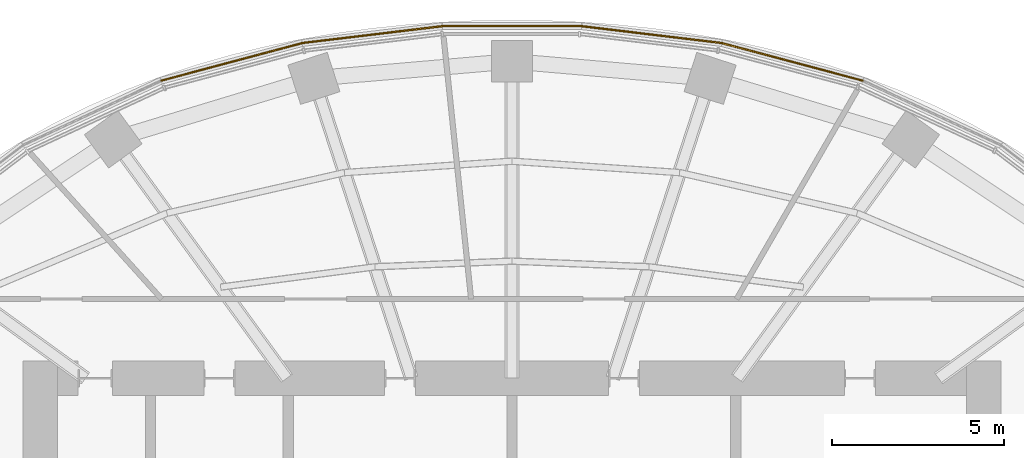
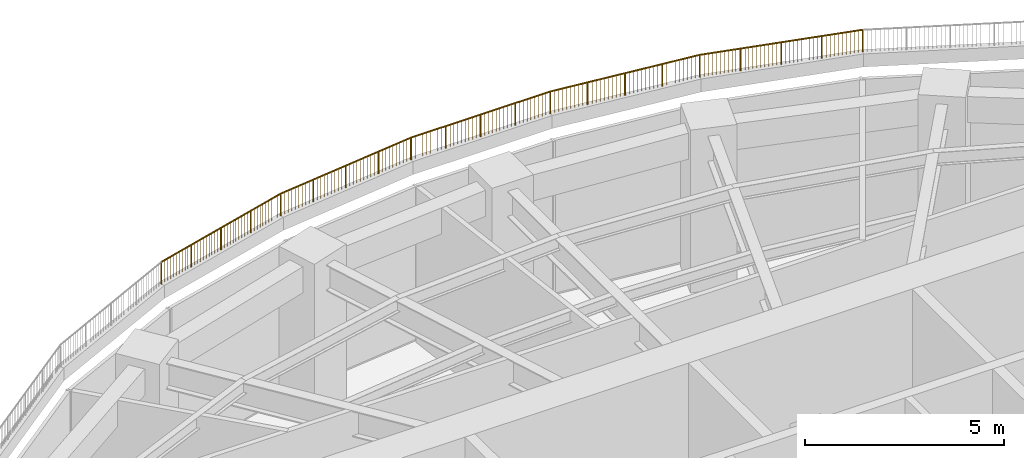
# One storey, part 18 of 19: 5 railings.
"""IFC4 building model written with IfcOpenShell, lengths in metres."""

from ifc_helpers import new_model, si_unit, direction, frame, origin, origin_2d, place, context, subcontext, project, spatial, circle, extrude, material, type_object, element, save


model = new_model("IFC4")

# Units and contexts
model_context = context("Model", 3, precision=1e-05, world=origin(), true_north=direction((0.0, 1.0)))
body_context = subcontext(model_context, "Body", "Model", "MODEL_VIEW")
ifc_project = project(units=[si_unit("LENGTHUNIT", "METRE"), si_unit("AREAUNIT", "SQUARE_METRE"), si_unit("VOLUMEUNIT", "CUBIC_METRE"), si_unit("PLANEANGLEUNIT", "RADIAN"), si_unit("MASSUNIT", "GRAM", prefix="KILO")], contexts=[model_context])

# Site, building, storey
site_placement = place(None, origin())
site = spatial("IfcSite", under=ifc_project, at=site_placement, CompositionType="ELEMENT")
building_placement = place(site_placement, origin())
building = spatial("IfcBuilding", under=site, at=building_placement, Name="Marramba Exchange Tower", CompositionType="ELEMENT")
storey_placement = place(building_placement, frame((0.0, 0.0, 277.0)))
storey = spatial("IfcBuildingStorey", under=building, at=storey_placement, Name="L67", CompositionType="ELEMENT", Elevation=277.0)

# Railings
ifc_material = material(Name="Galvanised steel guardrail", Category="steel")
railing_type = type_object("IfcRailingType", Name="Roof guardrail 1100", PredefinedType="GUARDRAIL", material=ifc_material)
railing_1_placement = place(storey_placement, frame((10.185546875, 17.64208984375, 5.39990234375)))
element("IfcRailing", 1, at=railing_1_placement, inside=storey, type_object=railing_type, Name="Roof guard Roof crown F06", PredefinedType="GUARDRAIL", context=body_context, shape_type="SweptSolid", body=[
    extrude(circle(Radius=0.02392578125, at=origin_2d()), frame((0.0, 0.0, 0.67578125), z_axis=(-0.96617759257, 0.257877605881, 0.0), x_axis=(-0.257877605881, -0.96617759257, 0.0)), (0.0, 0.0, 1.0), 4.241455078125),
    extrude(circle(Radius=0.02099609375, at=origin_2d()), origin(), (0.0, 0.0, 1.0), 0.65185546875),
    extrude(circle(Radius=0.02099609375, at=origin_2d()), frame((-1.0244140625, 0.2734375, 0.0)), (0.0, 0.0, 1.0), 0.65185546875),
    extrude(circle(Radius=0.02099609375, at=origin_2d()), frame((-2.048828125, 0.546875, 0.0)), (0.0, 0.0, 1.0), 0.65185546875),
    extrude(circle(Radius=0.02099609375, at=origin_2d()), frame((-3.073486328125, 0.8203125, 0.0)), (0.0, 0.0, 1.0), 0.65185546875),
    extrude(circle(Radius=0.02099609375, at=origin_2d()), frame((-4.097900390625, 1.09375, 0.0)), (0.0, 0.0, 1.0), 0.65185546875),
    extrude(circle(Radius=0.006103515625, at=origin_2d()), frame((-0.114013671875, 0.030517578125, 0.0)), (0.0, 0.0, 1.0), 0.65185546875),
    extrude(circle(Radius=0.006103515625, at=origin_2d()), frame((-0.213623046875, 0.05712890625, 0.0)), (0.0, 0.0, 1.0), 0.65185546875),
    extrude(circle(Radius=0.006103515625, at=origin_2d()), frame((-0.313232421875, 0.08349609375, 0.0)), (0.0, 0.0, 1.0), 0.65185546875),
    extrude(circle(Radius=0.006103515625, at=origin_2d()), frame((-0.41259765625, 0.110107421875, 0.0)), (0.0, 0.0, 1.0), 0.65185546875),
    extrude(circle(Radius=0.006103515625, at=origin_2d()), frame((-0.51220703125, 0.13671875, 0.0)), (0.0, 0.0, 1.0), 0.65185546875),
    extrude(circle(Radius=0.006103515625, at=origin_2d()), frame((-0.61181640625, 0.163330078125, 0.0)), (0.0, 0.0, 1.0), 0.65185546875),
    extrude(circle(Radius=0.006103515625, at=origin_2d()), frame((-0.71142578125, 0.18994140625, 0.0)), (0.0, 0.0, 1.0), 0.65185546875),
    extrude(circle(Radius=0.006103515625, at=origin_2d()), frame((-0.810791015625, 0.21630859375, 0.0)), (0.0, 0.0, 1.0), 0.65185546875),
    extrude(circle(Radius=0.006103515625, at=origin_2d()), frame((-0.910400390625, 0.242919921875, 0.0)), (0.0, 0.0, 1.0), 0.65185546875),
    extrude(circle(Radius=0.006103515625, at=origin_2d()), frame((-1.138427734375, 0.303955078125, 0.0)), (0.0, 0.0, 1.0), 0.65185546875),
    extrude(circle(Radius=0.006103515625, at=origin_2d()), frame((-1.238037109375, 0.33056640625, 0.0)), (0.0, 0.0, 1.0), 0.65185546875),
    extrude(circle(Radius=0.006103515625, at=origin_2d()), frame((-1.337646484375, 0.35693359375, 0.0)), (0.0, 0.0, 1.0), 0.65185546875),
    extrude(circle(Radius=0.006103515625, at=origin_2d()), frame((-1.437255859375, 0.383544921875, 0.0)), (0.0, 0.0, 1.0), 0.65185546875),
    extrude(circle(Radius=0.006103515625, at=origin_2d()), frame((-1.53662109375, 0.41015625, 0.0)), (0.0, 0.0, 1.0), 0.65185546875),
    extrude(circle(Radius=0.006103515625, at=origin_2d()), frame((-1.63623046875, 0.436767578125, 0.0)), (0.0, 0.0, 1.0), 0.65185546875),
    extrude(circle(Radius=0.006103515625, at=origin_2d()), frame((-1.73583984375, 0.46337890625, 0.0)), (0.0, 0.0, 1.0), 0.65185546875),
    extrude(circle(Radius=0.006103515625, at=origin_2d()), frame((-1.83544921875, 0.48974609375, 0.0)), (0.0, 0.0, 1.0), 0.65185546875),
    extrude(circle(Radius=0.006103515625, at=origin_2d()), frame((-1.934814453125, 0.516357421875, 0.0)), (0.0, 0.0, 1.0), 0.65185546875),
    extrude(circle(Radius=0.006103515625, at=origin_2d()), frame((-2.1630859375, 0.577392578125, 0.0)), (0.0, 0.0, 1.0), 0.65185546875),
    extrude(circle(Radius=0.006103515625, at=origin_2d()), frame((-2.262451171875, 0.60400390625, 0.0)), (0.0, 0.0, 1.0), 0.65185546875),
    extrude(circle(Radius=0.006103515625, at=origin_2d()), frame((-2.362060546875, 0.63037109375, 0.0)), (0.0, 0.0, 1.0), 0.65185546875),
    extrude(circle(Radius=0.006103515625, at=origin_2d()), frame((-2.461669921875, 0.656982421875, 0.0)), (0.0, 0.0, 1.0), 0.65185546875),
    extrude(circle(Radius=0.006103515625, at=origin_2d()), frame((-2.561279296875, 0.68359375, 0.0)), (0.0, 0.0, 1.0), 0.65185546875),
    extrude(circle(Radius=0.006103515625, at=origin_2d()), frame((-2.66064453125, 0.710205078125, 0.0)), (0.0, 0.0, 1.0), 0.65185546875),
    extrude(circle(Radius=0.006103515625, at=origin_2d()), frame((-2.76025390625, 0.73681640625, 0.0)), (0.0, 0.0, 1.0), 0.65185546875),
    extrude(circle(Radius=0.006103515625, at=origin_2d()), frame((-2.85986328125, 0.76318359375, 0.0)), (0.0, 0.0, 1.0), 0.65185546875),
    extrude(circle(Radius=0.006103515625, at=origin_2d()), frame((-2.95947265625, 0.789794921875, 0.0)), (0.0, 0.0, 1.0), 0.65185546875),
    extrude(circle(Radius=0.006103515625, at=origin_2d()), frame((-3.1875, 0.850830078125, 0.0)), (0.0, 0.0, 1.0), 0.65185546875),
    extrude(circle(Radius=0.006103515625, at=origin_2d()), frame((-3.287109375, 0.87744140625, 0.0)), (0.0, 0.0, 1.0), 0.65185546875),
    extrude(circle(Radius=0.006103515625, at=origin_2d()), frame((-3.386474609375, 0.90380859375, 0.0)), (0.0, 0.0, 1.0), 0.65185546875),
    extrude(circle(Radius=0.006103515625, at=origin_2d()), frame((-3.486083984375, 0.930419921875, 0.0)), (0.0, 0.0, 1.0), 0.65185546875),
    extrude(circle(Radius=0.006103515625, at=origin_2d()), frame((-3.585693359375, 0.95703125, 0.0)), (0.0, 0.0, 1.0), 0.65185546875),
    extrude(circle(Radius=0.006103515625, at=origin_2d()), frame((-3.685302734375, 0.983642578125, 0.0)), (0.0, 0.0, 1.0), 0.65185546875),
    extrude(circle(Radius=0.006103515625, at=origin_2d()), frame((-3.78466796875, 1.01025390625, 0.0)), (0.0, 0.0, 1.0), 0.65185546875),
    extrude(circle(Radius=0.006103515625, at=origin_2d()), frame((-3.88427734375, 1.03662109375, 0.0)), (0.0, 0.0, 1.0), 0.65185546875),
    extrude(circle(Radius=0.006103515625, at=origin_2d()), frame((-3.98388671875, 1.063232421875, 0.0)), (0.0, 0.0, 1.0), 0.65185546875),
])
railing_2_placement = place(storey_placement, frame((6.087646484375, 18.73583984375, 5.39990234375)))
element("IfcRailing", 2, at=railing_2_placement, inside=storey, type_object=railing_type, Name="Roof guard Roof crown F07", PredefinedType="GUARDRAIL", context=body_context, shape_type="SweptSolid", body=[
    extrude(circle(Radius=0.02392578125, at=origin_2d()), frame((0.0, 0.0, 0.67578125), z_axis=(-0.99282711648, 0.119558842338, 0.0), x_axis=(-0.119558842338, -0.99282711648, 0.0)), (0.0, 0.0, 1.0), 4.09619140625),
    extrude(circle(Radius=0.02099609375, at=origin_2d()), origin(), (0.0, 0.0, 1.0), 0.65185546875),
    extrude(circle(Radius=0.02099609375, at=origin_2d()), frame((-1.0166015625, 0.12255859375, 0.0)), (0.0, 0.0, 1.0), 0.65185546875),
    extrude(circle(Radius=0.02099609375, at=origin_2d()), frame((-2.033447265625, 0.244873046875, 0.0)), (0.0, 0.0, 1.0), 0.65185546875),
    extrude(circle(Radius=0.02099609375, at=origin_2d()), frame((-3.05029296875, 0.3671875, 0.0)), (0.0, 0.0, 1.0), 0.65185546875),
    extrude(circle(Radius=0.02099609375, at=origin_2d()), frame((-4.06689453125, 0.48974609375, 0.0)), (0.0, 0.0, 1.0), 0.65185546875),
    extrude(circle(Radius=0.006103515625, at=origin_2d()), frame((-0.12451171875, 0.014892578125, 0.0)), (0.0, 0.0, 1.0), 0.65185546875),
    extrude(circle(Radius=0.006103515625, at=origin_2d()), frame((-0.234130859375, 0.0283203125, 0.0)), (0.0, 0.0, 1.0), 0.65185546875),
    extrude(circle(Radius=0.006103515625, at=origin_2d()), frame((-0.34375, 0.04150390625, 0.0)), (0.0, 0.0, 1.0), 0.65185546875),
    extrude(circle(Radius=0.006103515625, at=origin_2d()), frame((-0.45361328125, 0.0546875, 0.0)), (0.0, 0.0, 1.0), 0.65185546875),
    extrude(circle(Radius=0.006103515625, at=origin_2d()), frame((-0.563232421875, 0.06787109375, 0.0)), (0.0, 0.0, 1.0), 0.65185546875),
    extrude(circle(Radius=0.006103515625, at=origin_2d()), frame((-0.6728515625, 0.0810546875, 0.0)), (0.0, 0.0, 1.0), 0.65185546875),
    extrude(circle(Radius=0.006103515625, at=origin_2d()), frame((-0.782470703125, 0.09423828125, 0.0)), (0.0, 0.0, 1.0), 0.65185546875),
    extrude(circle(Radius=0.006103515625, at=origin_2d()), frame((-0.89208984375, 0.107421875, 0.0)), (0.0, 0.0, 1.0), 0.65185546875),
    extrude(circle(Radius=0.006103515625, at=origin_2d()), frame((-1.141357421875, 0.137451171875, 0.0)), (0.0, 0.0, 1.0), 0.65185546875),
    extrude(circle(Radius=0.006103515625, at=origin_2d()), frame((-1.2509765625, 0.150634765625, 0.0)), (0.0, 0.0, 1.0), 0.65185546875),
    extrude(circle(Radius=0.006103515625, at=origin_2d()), frame((-1.360595703125, 0.163818359375, 0.0)), (0.0, 0.0, 1.0), 0.65185546875),
    extrude(circle(Radius=0.006103515625, at=origin_2d()), frame((-1.47021484375, 0.177001953125, 0.0)), (0.0, 0.0, 1.0), 0.65185546875),
    extrude(circle(Radius=0.006103515625, at=origin_2d()), frame((-1.579833984375, 0.190185546875, 0.0)), (0.0, 0.0, 1.0), 0.65185546875),
    extrude(circle(Radius=0.006103515625, at=origin_2d()), frame((-1.689697265625, 0.203369140625, 0.0)), (0.0, 0.0, 1.0), 0.65185546875),
    extrude(circle(Radius=0.006103515625, at=origin_2d()), frame((-1.79931640625, 0.216552734375, 0.0)), (0.0, 0.0, 1.0), 0.65185546875),
    extrude(circle(Radius=0.006103515625, at=origin_2d()), frame((-1.908935546875, 0.22998046875, 0.0)), (0.0, 0.0, 1.0), 0.65185546875),
    extrude(circle(Radius=0.006103515625, at=origin_2d()), frame((-2.157958984375, 0.259765625, 0.0)), (0.0, 0.0, 1.0), 0.65185546875),
    extrude(circle(Radius=0.006103515625, at=origin_2d()), frame((-2.267578125, 0.273193359375, 0.0)), (0.0, 0.0, 1.0), 0.65185546875),
    extrude(circle(Radius=0.006103515625, at=origin_2d()), frame((-2.377197265625, 0.286376953125, 0.0)), (0.0, 0.0, 1.0), 0.65185546875),
    extrude(circle(Radius=0.006103515625, at=origin_2d()), frame((-2.487060546875, 0.299560546875, 0.0)), (0.0, 0.0, 1.0), 0.65185546875),
    extrude(circle(Radius=0.006103515625, at=origin_2d()), frame((-2.5966796875, 0.312744140625, 0.0)), (0.0, 0.0, 1.0), 0.65185546875),
    extrude(circle(Radius=0.006103515625, at=origin_2d()), frame((-2.706298828125, 0.325927734375, 0.0)), (0.0, 0.0, 1.0), 0.65185546875),
    extrude(circle(Radius=0.006103515625, at=origin_2d()), frame((-2.81591796875, 0.339111328125, 0.0)), (0.0, 0.0, 1.0), 0.65185546875),
    extrude(circle(Radius=0.006103515625, at=origin_2d()), frame((-2.925537109375, 0.352294921875, 0.0)), (0.0, 0.0, 1.0), 0.65185546875),
    extrude(circle(Radius=0.006103515625, at=origin_2d()), frame((-3.1748046875, 0.38232421875, 0.0)), (0.0, 0.0, 1.0), 0.65185546875),
    extrude(circle(Radius=0.006103515625, at=origin_2d()), frame((-3.284423828125, 0.3955078125, 0.0)), (0.0, 0.0, 1.0), 0.65185546875),
    extrude(circle(Radius=0.006103515625, at=origin_2d()), frame((-3.39404296875, 0.40869140625, 0.0)), (0.0, 0.0, 1.0), 0.65185546875),
    extrude(circle(Radius=0.006103515625, at=origin_2d()), frame((-3.503662109375, 0.421875, 0.0)), (0.0, 0.0, 1.0), 0.65185546875),
    extrude(circle(Radius=0.006103515625, at=origin_2d()), frame((-3.61328125, 0.43505859375, 0.0)), (0.0, 0.0, 1.0), 0.65185546875),
    extrude(circle(Radius=0.006103515625, at=origin_2d()), frame((-3.72314453125, 0.4482421875, 0.0)), (0.0, 0.0, 1.0), 0.65185546875),
    extrude(circle(Radius=0.006103515625, at=origin_2d()), frame((-3.832763671875, 0.46142578125, 0.0)), (0.0, 0.0, 1.0), 0.65185546875),
    extrude(circle(Radius=0.006103515625, at=origin_2d()), frame((-3.9423828125, 0.474853515625, 0.0)), (0.0, 0.0, 1.0), 0.65185546875),
])
railing_3_placement = place(storey_placement, frame((2.020751953125, 19.2255859375, 5.39990234375)))
element("IfcRailing", 3, at=railing_3_placement, inside=storey, type_object=railing_type, Name="Roof guard Roof crown F08", PredefinedType="GUARDRAIL", context=body_context, shape_type="SweptSolid", body=[
    extrude(circle(Radius=0.02392578125, at=origin_2d()), frame((0.0, 0.0, 0.67578125), z_axis=(-1.0, 0.0, 0.0), x_axis=(0.0, -1.0, 0.0)), (0.0, 0.0, 1.0), 4.04150390625),
    extrude(circle(Radius=0.02099609375, at=origin_2d()), origin(), (0.0, 0.0, 1.0), 0.65185546875),
    extrude(circle(Radius=0.02099609375, at=origin_2d()), frame((-1.01025390625, 0.0, 0.0)), (0.0, 0.0, 1.0), 0.65185546875),
    extrude(circle(Radius=0.02099609375, at=origin_2d()), frame((-2.020751953125, 0.0, 0.0)), (0.0, 0.0, 1.0), 0.65185546875),
    extrude(circle(Radius=0.02099609375, at=origin_2d()), frame((-3.03125, 0.0, 0.0)), (0.0, 0.0, 1.0), 0.65185546875),
    extrude(circle(Radius=0.02099609375, at=origin_2d()), frame((-4.04150390625, 0.0, 0.0)), (0.0, 0.0, 1.0), 0.65185546875),
    extrude(circle(Radius=0.006103515625, at=origin_2d()), frame((-0.1240234375, 0.0, 0.0)), (0.0, 0.0, 1.0), 0.65185546875),
    extrude(circle(Radius=0.006103515625, at=origin_2d()), frame((-0.23291015625, 0.0, 0.0)), (0.0, 0.0, 1.0), 0.65185546875),
    extrude(circle(Radius=0.006103515625, at=origin_2d()), frame((-0.341796875, 0.0, 0.0)), (0.0, 0.0, 1.0), 0.65185546875),
    extrude(circle(Radius=0.006103515625, at=origin_2d()), frame((-0.45068359375, 0.0, 0.0)), (0.0, 0.0, 1.0), 0.65185546875),
    extrude(circle(Radius=0.006103515625, at=origin_2d()), frame((-0.5595703125, 0.0, 0.0)), (0.0, 0.0, 1.0), 0.65185546875),
    extrude(circle(Radius=0.006103515625, at=origin_2d()), frame((-0.668701171875, 0.0, 0.0)), (0.0, 0.0, 1.0), 0.65185546875),
    extrude(circle(Radius=0.006103515625, at=origin_2d()), frame((-0.777587890625, 0.0, 0.0)), (0.0, 0.0, 1.0), 0.65185546875),
    extrude(circle(Radius=0.006103515625, at=origin_2d()), frame((-0.886474609375, 0.0, 0.0)), (0.0, 0.0, 1.0), 0.65185546875),
    extrude(circle(Radius=0.006103515625, at=origin_2d()), frame((-1.13427734375, 0.0, 0.0)), (0.0, 0.0, 1.0), 0.65185546875),
    extrude(circle(Radius=0.006103515625, at=origin_2d()), frame((-1.2431640625, 0.0, 0.0)), (0.0, 0.0, 1.0), 0.65185546875),
    extrude(circle(Radius=0.006103515625, at=origin_2d()), frame((-1.35205078125, 0.0, 0.0)), (0.0, 0.0, 1.0), 0.65185546875),
    extrude(circle(Radius=0.006103515625, at=origin_2d()), frame((-1.461181640625, 0.0, 0.0)), (0.0, 0.0, 1.0), 0.65185546875),
    extrude(circle(Radius=0.006103515625, at=origin_2d()), frame((-1.570068359375, 0.0, 0.0)), (0.0, 0.0, 1.0), 0.65185546875),
    extrude(circle(Radius=0.006103515625, at=origin_2d()), frame((-1.678955078125, 0.0, 0.0)), (0.0, 0.0, 1.0), 0.65185546875),
    extrude(circle(Radius=0.006103515625, at=origin_2d()), frame((-1.787841796875, 0.0, 0.0)), (0.0, 0.0, 1.0), 0.65185546875),
    extrude(circle(Radius=0.006103515625, at=origin_2d()), frame((-1.896728515625, 0.0, 0.0)), (0.0, 0.0, 1.0), 0.65185546875),
    extrude(circle(Radius=0.006103515625, at=origin_2d()), frame((-2.144775390625, 0.0, 0.0)), (0.0, 0.0, 1.0), 0.65185546875),
    extrude(circle(Radius=0.006103515625, at=origin_2d()), frame((-2.253662109375, 0.0, 0.0)), (0.0, 0.0, 1.0), 0.65185546875),
    extrude(circle(Radius=0.006103515625, at=origin_2d()), frame((-2.362548828125, 0.0, 0.0)), (0.0, 0.0, 1.0), 0.65185546875),
    extrude(circle(Radius=0.006103515625, at=origin_2d()), frame((-2.471435546875, 0.0, 0.0)), (0.0, 0.0, 1.0), 0.65185546875),
    extrude(circle(Radius=0.006103515625, at=origin_2d()), frame((-2.580322265625, 0.0, 0.0)), (0.0, 0.0, 1.0), 0.65185546875),
    extrude(circle(Radius=0.006103515625, at=origin_2d()), frame((-2.689453125, 0.0, 0.0)), (0.0, 0.0, 1.0), 0.65185546875),
    extrude(circle(Radius=0.006103515625, at=origin_2d()), frame((-2.79833984375, 0.0, 0.0)), (0.0, 0.0, 1.0), 0.65185546875),
    extrude(circle(Radius=0.006103515625, at=origin_2d()), frame((-2.9072265625, 0.0, 0.0)), (0.0, 0.0, 1.0), 0.65185546875),
    extrude(circle(Radius=0.006103515625, at=origin_2d()), frame((-3.155029296875, 0.0, 0.0)), (0.0, 0.0, 1.0), 0.65185546875),
    extrude(circle(Radius=0.006103515625, at=origin_2d()), frame((-3.263916015625, 0.0, 0.0)), (0.0, 0.0, 1.0), 0.65185546875),
    extrude(circle(Radius=0.006103515625, at=origin_2d()), frame((-3.372802734375, 0.0, 0.0)), (0.0, 0.0, 1.0), 0.65185546875),
    extrude(circle(Radius=0.006103515625, at=origin_2d()), frame((-3.48193359375, 0.0, 0.0)), (0.0, 0.0, 1.0), 0.65185546875),
    extrude(circle(Radius=0.006103515625, at=origin_2d()), frame((-3.5908203125, 0.0, 0.0)), (0.0, 0.0, 1.0), 0.65185546875),
    extrude(circle(Radius=0.006103515625, at=origin_2d()), frame((-3.69970703125, 0.0, 0.0)), (0.0, 0.0, 1.0), 0.65185546875),
    extrude(circle(Radius=0.006103515625, at=origin_2d()), frame((-3.80859375, 0.0, 0.0)), (0.0, 0.0, 1.0), 0.65185546875),
    extrude(circle(Radius=0.006103515625, at=origin_2d()), frame((-3.91748046875, 0.0, 0.0)), (0.0, 0.0, 1.0), 0.65185546875),
])
railing_4_placement = place(storey_placement, frame((-2.020751953125, 19.2255859375, 5.39990234375)))
element("IfcRailing", 4, at=railing_4_placement, inside=storey, type_object=railing_type, Name="Roof guard Roof crown F09", PredefinedType="GUARDRAIL", context=body_context, shape_type="SweptSolid", body=[
    extrude(circle(Radius=0.02392578125, at=origin_2d()), frame((0.0, 0.0, 0.67578125), z_axis=(-0.99282711648, -0.119558842338, 0.0), x_axis=(0.119558842338, -0.99282711648, 0.0)), (0.0, 0.0, 1.0), 4.09619140625),
    extrude(circle(Radius=0.02099609375, at=origin_2d()), origin(), (0.0, 0.0, 1.0), 0.65185546875),
    extrude(circle(Radius=0.02099609375, at=origin_2d()), frame((-1.0166015625, -0.12255859375, 0.0)), (0.0, 0.0, 1.0), 0.65185546875),
    extrude(circle(Radius=0.02099609375, at=origin_2d()), frame((-2.033447265625, -0.244873046875, 0.0)), (0.0, 0.0, 1.0), 0.65185546875),
    extrude(circle(Radius=0.02099609375, at=origin_2d()), frame((-3.05029296875, -0.3671875, 0.0)), (0.0, 0.0, 1.0), 0.65185546875),
    extrude(circle(Radius=0.02099609375, at=origin_2d()), frame((-4.06689453125, -0.48974609375, 0.0)), (0.0, 0.0, 1.0), 0.65185546875),
    extrude(circle(Radius=0.006103515625, at=origin_2d()), frame((-0.12451171875, -0.014892578125, 0.0)), (0.0, 0.0, 1.0), 0.65185546875),
    extrude(circle(Radius=0.006103515625, at=origin_2d()), frame((-0.234130859375, -0.0283203125, 0.0)), (0.0, 0.0, 1.0), 0.65185546875),
    extrude(circle(Radius=0.006103515625, at=origin_2d()), frame((-0.34375, -0.04150390625, 0.0)), (0.0, 0.0, 1.0), 0.65185546875),
    extrude(circle(Radius=0.006103515625, at=origin_2d()), frame((-0.45361328125, -0.0546875, 0.0)), (0.0, 0.0, 1.0), 0.65185546875),
    extrude(circle(Radius=0.006103515625, at=origin_2d()), frame((-0.563232421875, -0.06787109375, 0.0)), (0.0, 0.0, 1.0), 0.65185546875),
    extrude(circle(Radius=0.006103515625, at=origin_2d()), frame((-0.6728515625, -0.0810546875, 0.0)), (0.0, 0.0, 1.0), 0.65185546875),
    extrude(circle(Radius=0.006103515625, at=origin_2d()), frame((-0.782470703125, -0.09423828125, 0.0)), (0.0, 0.0, 1.0), 0.65185546875),
    extrude(circle(Radius=0.006103515625, at=origin_2d()), frame((-0.89208984375, -0.107421875, 0.0)), (0.0, 0.0, 1.0), 0.65185546875),
    extrude(circle(Radius=0.006103515625, at=origin_2d()), frame((-1.141357421875, -0.137451171875, 0.0)), (0.0, 0.0, 1.0), 0.65185546875),
    extrude(circle(Radius=0.006103515625, at=origin_2d()), frame((-1.2509765625, -0.150634765625, 0.0)), (0.0, 0.0, 1.0), 0.65185546875),
    extrude(circle(Radius=0.006103515625, at=origin_2d()), frame((-1.360595703125, -0.163818359375, 0.0)), (0.0, 0.0, 1.0), 0.65185546875),
    extrude(circle(Radius=0.006103515625, at=origin_2d()), frame((-1.47021484375, -0.177001953125, 0.0)), (0.0, 0.0, 1.0), 0.65185546875),
    extrude(circle(Radius=0.006103515625, at=origin_2d()), frame((-1.579833984375, -0.190185546875, 0.0)), (0.0, 0.0, 1.0), 0.65185546875),
    extrude(circle(Radius=0.006103515625, at=origin_2d()), frame((-1.689697265625, -0.203369140625, 0.0)), (0.0, 0.0, 1.0), 0.65185546875),
    extrude(circle(Radius=0.006103515625, at=origin_2d()), frame((-1.79931640625, -0.216552734375, 0.0)), (0.0, 0.0, 1.0), 0.65185546875),
    extrude(circle(Radius=0.006103515625, at=origin_2d()), frame((-1.908935546875, -0.22998046875, 0.0)), (0.0, 0.0, 1.0), 0.65185546875),
    extrude(circle(Radius=0.006103515625, at=origin_2d()), frame((-2.157958984375, -0.259765625, 0.0)), (0.0, 0.0, 1.0), 0.65185546875),
    extrude(circle(Radius=0.006103515625, at=origin_2d()), frame((-2.267578125, -0.273193359375, 0.0)), (0.0, 0.0, 1.0), 0.65185546875),
    extrude(circle(Radius=0.006103515625, at=origin_2d()), frame((-2.377197265625, -0.286376953125, 0.0)), (0.0, 0.0, 1.0), 0.65185546875),
    extrude(circle(Radius=0.006103515625, at=origin_2d()), frame((-2.487060546875, -0.299560546875, 0.0)), (0.0, 0.0, 1.0), 0.65185546875),
    extrude(circle(Radius=0.006103515625, at=origin_2d()), frame((-2.5966796875, -0.312744140625, 0.0)), (0.0, 0.0, 1.0), 0.65185546875),
    extrude(circle(Radius=0.006103515625, at=origin_2d()), frame((-2.706298828125, -0.325927734375, 0.0)), (0.0, 0.0, 1.0), 0.65185546875),
    extrude(circle(Radius=0.006103515625, at=origin_2d()), frame((-2.81591796875, -0.339111328125, 0.0)), (0.0, 0.0, 1.0), 0.65185546875),
    extrude(circle(Radius=0.006103515625, at=origin_2d()), frame((-2.925537109375, -0.352294921875, 0.0)), (0.0, 0.0, 1.0), 0.65185546875),
    extrude(circle(Radius=0.006103515625, at=origin_2d()), frame((-3.1748046875, -0.38232421875, 0.0)), (0.0, 0.0, 1.0), 0.65185546875),
    extrude(circle(Radius=0.006103515625, at=origin_2d()), frame((-3.284423828125, -0.3955078125, 0.0)), (0.0, 0.0, 1.0), 0.65185546875),
    extrude(circle(Radius=0.006103515625, at=origin_2d()), frame((-3.39404296875, -0.40869140625, 0.0)), (0.0, 0.0, 1.0), 0.65185546875),
    extrude(circle(Radius=0.006103515625, at=origin_2d()), frame((-3.503662109375, -0.421875, 0.0)), (0.0, 0.0, 1.0), 0.65185546875),
    extrude(circle(Radius=0.006103515625, at=origin_2d()), frame((-3.61328125, -0.43505859375, 0.0)), (0.0, 0.0, 1.0), 0.65185546875),
    extrude(circle(Radius=0.006103515625, at=origin_2d()), frame((-3.72314453125, -0.4482421875, 0.0)), (0.0, 0.0, 1.0), 0.65185546875),
    extrude(circle(Radius=0.006103515625, at=origin_2d()), frame((-3.832763671875, -0.46142578125, 0.0)), (0.0, 0.0, 1.0), 0.65185546875),
    extrude(circle(Radius=0.006103515625, at=origin_2d()), frame((-3.9423828125, -0.474853515625, 0.0)), (0.0, 0.0, 1.0), 0.65185546875),
])
railing_5_placement = place(storey_placement, frame((-6.087646484375, 18.73583984375, 5.39990234375)))
element("IfcRailing", 5, at=railing_5_placement, inside=storey, type_object=railing_type, Name="Roof guard Roof crown F10", PredefinedType="GUARDRAIL", context=body_context, shape_type="SweptSolid", body=[
    extrude(circle(Radius=0.02392578125, at=origin_2d()), frame((0.0, 0.0, 0.67578125), z_axis=(-0.96617759257, -0.257877605881, 0.0), x_axis=(0.257877605881, -0.96617759257, 0.0)), (0.0, 0.0, 1.0), 4.241455078125),
    extrude(circle(Radius=0.02099609375, at=origin_2d()), origin(), (0.0, 0.0, 1.0), 0.65185546875),
    extrude(circle(Radius=0.02099609375, at=origin_2d()), frame((-1.0244140625, -0.2734375, 0.0)), (0.0, 0.0, 1.0), 0.65185546875),
    extrude(circle(Radius=0.02099609375, at=origin_2d()), frame((-2.048828125, -0.546875, 0.0)), (0.0, 0.0, 1.0), 0.65185546875),
    extrude(circle(Radius=0.02099609375, at=origin_2d()), frame((-3.073486328125, -0.8203125, 0.0)), (0.0, 0.0, 1.0), 0.65185546875),
    extrude(circle(Radius=0.02099609375, at=origin_2d()), frame((-4.097900390625, -1.09375, 0.0)), (0.0, 0.0, 1.0), 0.65185546875),
    extrude(circle(Radius=0.006103515625, at=origin_2d()), frame((-0.114013671875, -0.030517578125, 0.0)), (0.0, 0.0, 1.0), 0.65185546875),
    extrude(circle(Radius=0.006103515625, at=origin_2d()), frame((-0.213623046875, -0.05712890625, 0.0)), (0.0, 0.0, 1.0), 0.65185546875),
    extrude(circle(Radius=0.006103515625, at=origin_2d()), frame((-0.313232421875, -0.08349609375, 0.0)), (0.0, 0.0, 1.0), 0.65185546875),
    extrude(circle(Radius=0.006103515625, at=origin_2d()), frame((-0.41259765625, -0.110107421875, 0.0)), (0.0, 0.0, 1.0), 0.65185546875),
    extrude(circle(Radius=0.006103515625, at=origin_2d()), frame((-0.51220703125, -0.13671875, 0.0)), (0.0, 0.0, 1.0), 0.65185546875),
    extrude(circle(Radius=0.006103515625, at=origin_2d()), frame((-0.61181640625, -0.163330078125, 0.0)), (0.0, 0.0, 1.0), 0.65185546875),
    extrude(circle(Radius=0.006103515625, at=origin_2d()), frame((-0.71142578125, -0.18994140625, 0.0)), (0.0, 0.0, 1.0), 0.65185546875),
    extrude(circle(Radius=0.006103515625, at=origin_2d()), frame((-0.810791015625, -0.21630859375, 0.0)), (0.0, 0.0, 1.0), 0.65185546875),
    extrude(circle(Radius=0.006103515625, at=origin_2d()), frame((-0.910400390625, -0.242919921875, 0.0)), (0.0, 0.0, 1.0), 0.65185546875),
    extrude(circle(Radius=0.006103515625, at=origin_2d()), frame((-1.138427734375, -0.303955078125, 0.0)), (0.0, 0.0, 1.0), 0.65185546875),
    extrude(circle(Radius=0.006103515625, at=origin_2d()), frame((-1.238037109375, -0.33056640625, 0.0)), (0.0, 0.0, 1.0), 0.65185546875),
    extrude(circle(Radius=0.006103515625, at=origin_2d()), frame((-1.337646484375, -0.35693359375, 0.0)), (0.0, 0.0, 1.0), 0.65185546875),
    extrude(circle(Radius=0.006103515625, at=origin_2d()), frame((-1.437255859375, -0.383544921875, 0.0)), (0.0, 0.0, 1.0), 0.65185546875),
    extrude(circle(Radius=0.006103515625, at=origin_2d()), frame((-1.53662109375, -0.41015625, 0.0)), (0.0, 0.0, 1.0), 0.65185546875),
    extrude(circle(Radius=0.006103515625, at=origin_2d()), frame((-1.63623046875, -0.436767578125, 0.0)), (0.0, 0.0, 1.0), 0.65185546875),
    extrude(circle(Radius=0.006103515625, at=origin_2d()), frame((-1.73583984375, -0.46337890625, 0.0)), (0.0, 0.0, 1.0), 0.65185546875),
    extrude(circle(Radius=0.006103515625, at=origin_2d()), frame((-1.83544921875, -0.48974609375, 0.0)), (0.0, 0.0, 1.0), 0.65185546875),
    extrude(circle(Radius=0.006103515625, at=origin_2d()), frame((-1.934814453125, -0.516357421875, 0.0)), (0.0, 0.0, 1.0), 0.65185546875),
    extrude(circle(Radius=0.006103515625, at=origin_2d()), frame((-2.1630859375, -0.577392578125, 0.0)), (0.0, 0.0, 1.0), 0.65185546875),
    extrude(circle(Radius=0.006103515625, at=origin_2d()), frame((-2.262451171875, -0.60400390625, 0.0)), (0.0, 0.0, 1.0), 0.65185546875),
    extrude(circle(Radius=0.006103515625, at=origin_2d()), frame((-2.362060546875, -0.63037109375, 0.0)), (0.0, 0.0, 1.0), 0.65185546875),
    extrude(circle(Radius=0.006103515625, at=origin_2d()), frame((-2.461669921875, -0.656982421875, 0.0)), (0.0, 0.0, 1.0), 0.65185546875),
    extrude(circle(Radius=0.006103515625, at=origin_2d()), frame((-2.561279296875, -0.68359375, 0.0)), (0.0, 0.0, 1.0), 0.65185546875),
    extrude(circle(Radius=0.006103515625, at=origin_2d()), frame((-2.66064453125, -0.710205078125, 0.0)), (0.0, 0.0, 1.0), 0.65185546875),
    extrude(circle(Radius=0.006103515625, at=origin_2d()), frame((-2.76025390625, -0.73681640625, 0.0)), (0.0, 0.0, 1.0), 0.65185546875),
    extrude(circle(Radius=0.006103515625, at=origin_2d()), frame((-2.85986328125, -0.76318359375, 0.0)), (0.0, 0.0, 1.0), 0.65185546875),
    extrude(circle(Radius=0.006103515625, at=origin_2d()), frame((-2.95947265625, -0.789794921875, 0.0)), (0.0, 0.0, 1.0), 0.65185546875),
    extrude(circle(Radius=0.006103515625, at=origin_2d()), frame((-3.1875, -0.850830078125, 0.0)), (0.0, 0.0, 1.0), 0.65185546875),
    extrude(circle(Radius=0.006103515625, at=origin_2d()), frame((-3.287109375, -0.87744140625, 0.0)), (0.0, 0.0, 1.0), 0.65185546875),
    extrude(circle(Radius=0.006103515625, at=origin_2d()), frame((-3.386474609375, -0.90380859375, 0.0)), (0.0, 0.0, 1.0), 0.65185546875),
    extrude(circle(Radius=0.006103515625, at=origin_2d()), frame((-3.486083984375, -0.930419921875, 0.0)), (0.0, 0.0, 1.0), 0.65185546875),
    extrude(circle(Radius=0.006103515625, at=origin_2d()), frame((-3.585693359375, -0.95703125, 0.0)), (0.0, 0.0, 1.0), 0.65185546875),
    extrude(circle(Radius=0.006103515625, at=origin_2d()), frame((-3.685302734375, -0.983642578125, 0.0)), (0.0, 0.0, 1.0), 0.65185546875),
    extrude(circle(Radius=0.006103515625, at=origin_2d()), frame((-3.78466796875, -1.01025390625, 0.0)), (0.0, 0.0, 1.0), 0.65185546875),
    extrude(circle(Radius=0.006103515625, at=origin_2d()), frame((-3.88427734375, -1.03662109375, 0.0)), (0.0, 0.0, 1.0), 0.65185546875),
    extrude(circle(Radius=0.006103515625, at=origin_2d()), frame((-3.98388671875, -1.063232421875, 0.0)), (0.0, 0.0, 1.0), 0.65185546875),
])

save(model, "model.ifc")
